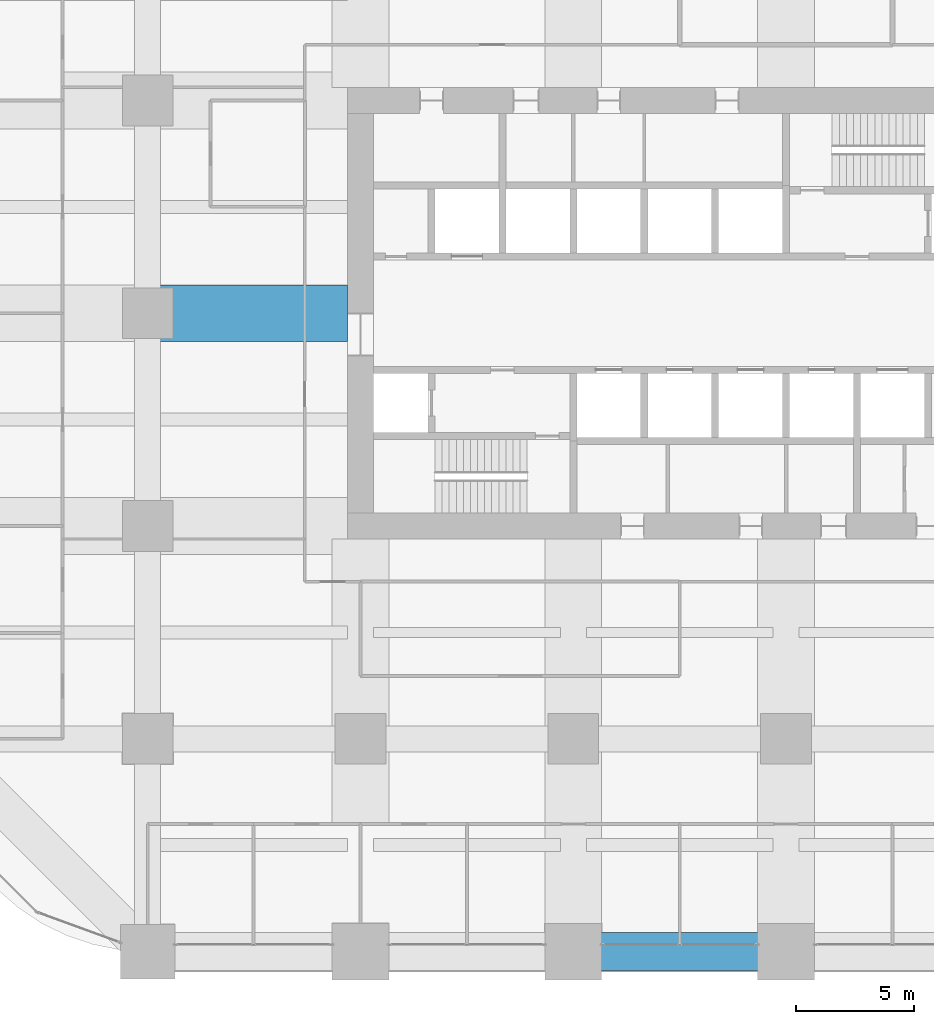
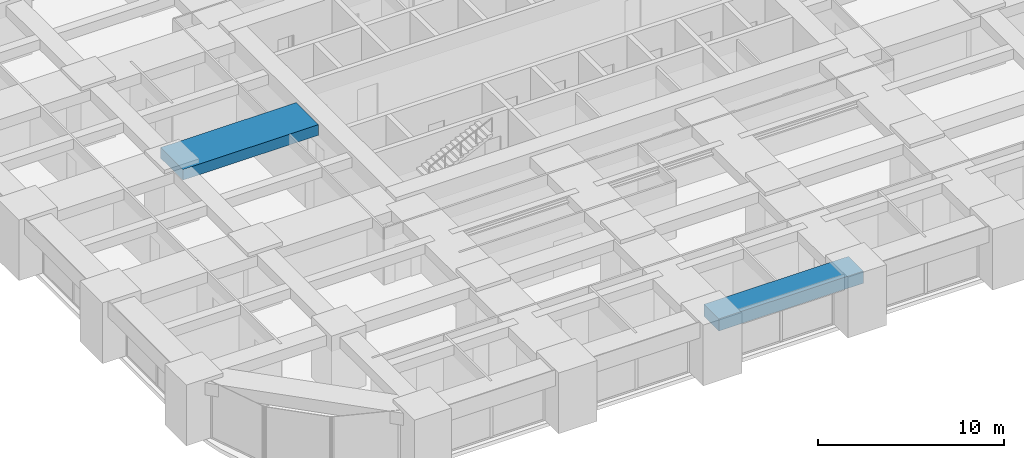
# One storey, part 11 of 45: 2 beams.
"""IFC4 building model written with IfcOpenShell, lengths in metres."""

from ifc_helpers import new_model, si_unit, direction, frame, origin, origin_2d, place, context, subcontext, project, spatial, rectangle, extrude, material, material_profile, profile_set, type_object, element, save


model = new_model("IFC4")

# Units and contexts
model_context = context("Model", 3, precision=1e-05, world=origin(), true_north=direction((0.0, 1.0)))
body_context = subcontext(model_context, "Body", "Model", "MODEL_VIEW")
ifc_project = project(units=[si_unit("LENGTHUNIT", "METRE"), si_unit("AREAUNIT", "SQUARE_METRE"), si_unit("VOLUMEUNIT", "CUBIC_METRE"), si_unit("PLANEANGLEUNIT", "RADIAN"), si_unit("MASSUNIT", "GRAM", prefix="KILO")], contexts=[model_context])

# Site, building, storey
site_placement = place(None, origin())
site = spatial("IfcSite", under=ifc_project, at=site_placement, CompositionType="ELEMENT")
building_placement = place(site_placement, origin())
building = spatial("IfcBuilding", under=site, at=building_placement, Name="Zorevar Civic Tower", CompositionType="ELEMENT")
storey_placement = place(building_placement, frame((0.0, 0.0, 71.800048828125)))
storey = spatial("IfcBuildingStorey", under=building, at=storey_placement, Name="L17", CompositionType="ELEMENT", Elevation=71.800048828125)

# Beams
ifc_material_1 = material(Name="Concrete C50/60", Category="concrete")
ifc_material_profile_1 = material_profile(ifc_material_1, rectangle(XDim=2.39990234375, YDim=0.699951171875, at=origin_2d()), Name="RC 2400x700")
ifc_profile_set_1 = profile_set([ifc_material_profile_1], Name="Concrete C50/60")
beam_type_1 = type_object("IfcBeamType", Name="Beam RC 2400x700", PredefinedType="BEAM", material=ifc_profile_set_1)
beam_1_placement = place(storey_placement, frame((9.0, 27.0, 3.39990234375), z_axis=(1.0, 0.0, 0.0), x_axis=(0.0, 1.0, 0.0)))
element("IfcBeam", 1, at=beam_1_placement, inside=storey, type_object=beam_type_1, Name="Girder L18", PredefinedType="BEAM", context=body_context, shape_type="SweptSolid", body=[
    extrude(rectangle(XDim=2.39990234375, YDim=0.699951171875, at=origin_2d()), origin(), (0.0, 0.0, 1.0), 8.449951171875),
])
ifc_material_2 = material(Name="Concrete C50/60", Category="concrete")
ifc_material_profile_2 = material_profile(ifc_material_2, rectangle(XDim=1.60009765625, YDim=0.800048828125, at=origin_2d()), Name="RC 1600x800")
ifc_profile_set_2 = profile_set([ifc_material_profile_2], Name="Concrete C50/60")
beam_type_2 = type_object("IfcBeamType", Name="Edge beam RC 1600x800", PredefinedType="SPANDREL", material=ifc_profile_set_2)
beam_2_placement = place(storey_placement, frame((27.0, 0.0, 3.349853515625), z_axis=(1.0, 0.0, 0.0), x_axis=(0.0, 1.0, 0.0)))
element("IfcBeam", 2, at=beam_2_placement, inside=storey, type_object=beam_type_2, Name="Edge beam L18", PredefinedType="SPANDREL", context=body_context, shape_type="SweptSolid", body=[
    extrude(rectangle(XDim=1.60009765625, YDim=0.800048828125, at=origin_2d()), origin(), (0.0, 0.0, 1.0), 9.0),
])

save(model, "model.ifc")
